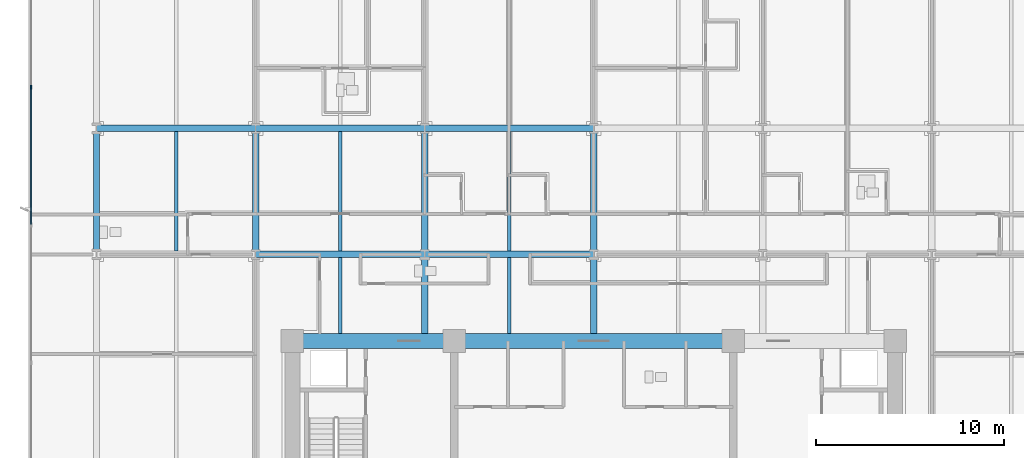
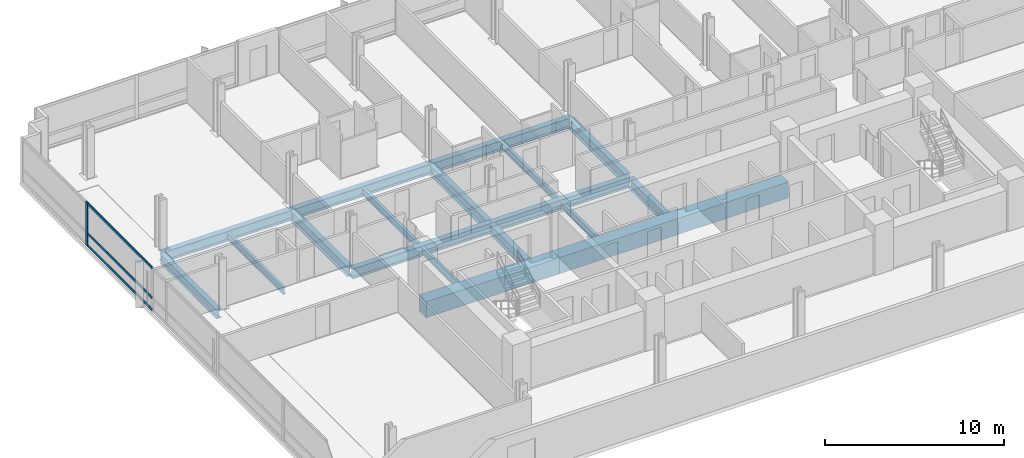
# One storey, part 3 of 15: 18 beams, 4 members, 1 element without a shape of its own.
"""IFC4 building model written with IfcOpenShell, lengths in metres."""

from ifc_helpers import new_model, si_unit, direction, frame, origin, origin_2d, place, context, subcontext, project, spatial, rectangle, i_section, extrude, material, material_profile, profile_set, type_object, element, aggregate, save


model = new_model("IFC4")

# Units and contexts
model_context = context("Model", 3, precision=1e-05, world=origin(), true_north=direction((0.0, 1.0)))
body_context = subcontext(model_context, "Body", "Model", "MODEL_VIEW")
ifc_project = project(units=[si_unit("LENGTHUNIT", "METRE"), si_unit("AREAUNIT", "SQUARE_METRE"), si_unit("VOLUMEUNIT", "CUBIC_METRE"), si_unit("PLANEANGLEUNIT", "RADIAN"), si_unit("MASSUNIT", "GRAM", prefix="KILO")], contexts=[model_context])

# Site, building, storey
site_placement = place(None, origin())
site = spatial("IfcSite", under=ifc_project, at=site_placement, CompositionType="ELEMENT")
building_placement = place(site_placement, origin())
building = spatial("IfcBuilding", under=site, at=building_placement, Name="Solmavex Isthmus Hotel", CompositionType="ELEMENT")
storey_placement = place(building_placement, frame((0.0, 0.0, 71.25)))
storey = spatial("IfcBuildingStorey", under=building, at=storey_placement, Name="L19", CompositionType="ELEMENT", Elevation=71.25)

# Beams
ifc_material_1 = material(Name="Steel ASTM A992 Grade 50", Category="steel")
ifc_material_profile_1 = material_profile(ifc_material_1, i_section(OverallWidth=0.354736328125, OverallDepth=0.695556640625, WebThickness=0.015380859375, FlangeThickness=0.02490234375, FilletRadius=0.017822265625, at=origin_2d()), Name="W27X146")
ifc_profile_set_1 = profile_set([ifc_material_profile_1], Name="Steel ASTM A992 Grade 50")
beam_type_1 = type_object("IfcBeamType", Name="BM-BG-W27X146", PredefinedType="BEAM", material=ifc_profile_set_1)
beam_1_placement = place(storey_placement, frame((-17.951904296875, 2.10009765625, -0.607666015625), z_axis=(1.0, 0.0, 0.0), x_axis=(0.0, 1.0, 0.0)))
element("IfcBeam", 1, at=beam_1_placement, inside=storey, type_object=beam_type_1, Name="Floor Girder L19-UG08", PredefinedType="BEAM", context=body_context, shape_type="SweptSolid", body=[
    extrude(i_section(OverallWidth=0.354736328125, OverallDepth=0.695556640625, WebThickness=0.015380859375, FlangeThickness=0.02490234375, FilletRadius=0.017822265625, at=origin_2d()), origin(), (0.0, 0.0, 1.0), 8.975830078125),
])
beam_2_placement = place(storey_placement, frame((-8.97607421875, 2.10009765625, -0.607666015625), z_axis=(1.0, 0.0, 0.0), x_axis=(0.0, 1.0, 0.0)))
element("IfcBeam", 2, at=beam_2_placement, inside=storey, type_object=beam_type_1, Name="Floor Girder L19-UG09", PredefinedType="BEAM", context=body_context, shape_type="SweptSolid", body=[
    extrude(i_section(OverallWidth=0.354736328125, OverallDepth=0.695556640625, WebThickness=0.015380859375, FlangeThickness=0.02490234375, FilletRadius=0.017822265625, at=origin_2d()), origin(), (0.0, 0.0, 1.0), 8.97607421875),
])
beam_3_placement = place(storey_placement, frame((-26.39990234375, 8.7880859375, -0.607666015625), z_axis=(1.0, 0.0, 0.0), x_axis=(0.0, 1.0, 0.0)))
element("IfcBeam", 3, at=beam_3_placement, inside=storey, type_object=beam_type_1, Name="Floor Girder L19-UG13", PredefinedType="BEAM", context=body_context, shape_type="SweptSolid", body=[
    extrude(i_section(OverallWidth=0.354736328125, OverallDepth=0.695556640625, WebThickness=0.015380859375, FlangeThickness=0.02490234375, FilletRadius=0.017822265625, at=origin_2d()), origin(), (0.0, 0.0, 1.0), 8.447998046875),
])
beam_4_placement = place(storey_placement, frame((-17.951904296875, 8.7880859375, -0.607666015625), z_axis=(1.0, 0.0, 0.0), x_axis=(0.0, 1.0, 0.0)))
element("IfcBeam", 4, at=beam_4_placement, inside=storey, type_object=beam_type_1, Name="Floor Girder L19-UG14", PredefinedType="BEAM", context=body_context, shape_type="SweptSolid", body=[
    extrude(i_section(OverallWidth=0.354736328125, OverallDepth=0.695556640625, WebThickness=0.015380859375, FlangeThickness=0.02490234375, FilletRadius=0.017822265625, at=origin_2d()), origin(), (0.0, 0.0, 1.0), 8.975830078125),
])
beam_5_placement = place(storey_placement, frame((-8.97607421875, 8.7880859375, -0.607666015625), z_axis=(1.0, 0.0, 0.0), x_axis=(0.0, 1.0, 0.0)))
element("IfcBeam", 5, at=beam_5_placement, inside=storey, type_object=beam_type_1, Name="Floor Girder L19-UG15", PredefinedType="BEAM", context=body_context, shape_type="SweptSolid", body=[
    extrude(i_section(OverallWidth=0.354736328125, OverallDepth=0.695556640625, WebThickness=0.015380859375, FlangeThickness=0.02490234375, FilletRadius=0.017822265625, at=origin_2d()), origin(), (0.0, 0.0, 1.0), 8.97607421875),
])
beam_6_placement = place(storey_placement, frame((-17.951904296875, 2.27734375, -0.607666015625), z_axis=(0.0, 1.0, 0.0), x_axis=(-1.0, 0.0, 0.0)))
element("IfcBeam", 6, at=beam_6_placement, inside=storey, type_object=beam_type_1, Name="Floor Beam L19-VG29", PredefinedType="BEAM", context=body_context, shape_type="SweptSolid", body=[
    extrude(i_section(OverallWidth=0.354736328125, OverallDepth=0.695556640625, WebThickness=0.015380859375, FlangeThickness=0.02490234375, FilletRadius=0.017822265625, at=origin_2d()), origin(), (0.0, 0.0, 1.0), 6.333251953125),
])
beam_7_placement = place(storey_placement, frame((-8.97607421875, -2.10009765625, -0.607666015625), z_axis=(0.0, 1.0, 0.0), x_axis=(-1.0, 0.0, 0.0)))
element("IfcBeam", 7, at=beam_7_placement, inside=storey, type_object=beam_type_1, Name="Floor Beam L19-VG32", PredefinedType="BEAM", context=body_context, shape_type="SweptSolid", body=[
    extrude(i_section(OverallWidth=0.354736328125, OverallDepth=0.695556640625, WebThickness=0.015380859375, FlangeThickness=0.02490234375, FilletRadius=0.017822265625, at=origin_2d()), origin(), (0.0, 0.0, 1.0), 4.022705078125),
])
beam_8_placement = place(storey_placement, frame((-8.97607421875, 2.27734375, -0.607666015625), z_axis=(0.0, 1.0, 0.0), x_axis=(-1.0, 0.0, 0.0)))
element("IfcBeam", 8, at=beam_8_placement, inside=storey, type_object=beam_type_1, Name="Floor Beam L19-VG33", PredefinedType="BEAM", context=body_context, shape_type="SweptSolid", body=[
    extrude(i_section(OverallWidth=0.354736328125, OverallDepth=0.695556640625, WebThickness=0.015380859375, FlangeThickness=0.02490234375, FilletRadius=0.017822265625, at=origin_2d()), origin(), (0.0, 0.0, 1.0), 6.333251953125),
])
beam_9_placement = place(storey_placement, frame((0.0, -2.10009765625, -0.607666015625), z_axis=(0.0, 1.0, 0.0), x_axis=(-1.0, 0.0, 0.0)))
element("IfcBeam", 9, at=beam_9_placement, inside=storey, type_object=beam_type_1, Name="Floor Beam L19-VG36", PredefinedType="BEAM", context=body_context, shape_type="SweptSolid", body=[
    extrude(i_section(OverallWidth=0.354736328125, OverallDepth=0.695556640625, WebThickness=0.015380859375, FlangeThickness=0.02490234375, FilletRadius=0.017822265625, at=origin_2d()), origin(), (0.0, 0.0, 1.0), 4.022705078125),
])
beam_10_placement = place(storey_placement, frame((0.0, 2.27734375, -0.607666015625), z_axis=(0.0, 1.0, 0.0), x_axis=(-1.0, 0.0, 0.0)))
element("IfcBeam", 10, at=beam_10_placement, inside=storey, type_object=beam_type_1, Name="Floor Beam L19-VG37", PredefinedType="BEAM", context=body_context, shape_type="SweptSolid", body=[
    extrude(i_section(OverallWidth=0.354736328125, OverallDepth=0.695556640625, WebThickness=0.015380859375, FlangeThickness=0.02490234375, FilletRadius=0.017822265625, at=origin_2d()), origin(), (0.0, 0.0, 1.0), 6.333251953125),
])
ifc_material_profile_2 = material_profile(ifc_material_1, i_section(OverallWidth=0.1904296875, OverallDepth=0.456787109375, WebThickness=0.009033203125, FlangeThickness=0.014404296875, FilletRadius=0.0126953125, at=origin_2d()), Name="W18X50")
ifc_profile_set_2 = profile_set([ifc_material_profile_2], Name="Steel ASTM A992 Grade 50")
beam_type_2 = type_object("IfcBeamType", Name="BM-BJ-W18X50", PredefinedType="JOIST", material=ifc_profile_set_2)
beam_11_placement = place(storey_placement, frame((-22.176025390625, 2.27734375, -0.488525390625), z_axis=(0.0, 1.0, 0.0), x_axis=(-1.0, 0.0, 0.0)))
element("IfcBeam", 11, at=beam_11_placement, inside=storey, type_object=beam_type_2, Name="Secondary Floor Joist L19-J02", PredefinedType="JOIST", context=body_context, shape_type="SweptSolid", body=[
    extrude(i_section(OverallWidth=0.1904296875, OverallDepth=0.456787109375, WebThickness=0.009033203125, FlangeThickness=0.014404296875, FilletRadius=0.0126953125, at=origin_2d()), origin(), (0.0, 0.0, 1.0), 6.333251953125),
])
beam_12_placement = place(storey_placement, frame((-13.464111328125, -2.10009765625, -0.488525390625), z_axis=(0.0, 1.0, 0.0), x_axis=(-1.0, 0.0, 0.0)))
element("IfcBeam", 12, at=beam_12_placement, inside=storey, type_object=beam_type_2, Name="Secondary Floor Joist L19-J05", PredefinedType="JOIST", context=body_context, shape_type="SweptSolid", body=[
    extrude(i_section(OverallWidth=0.1904296875, OverallDepth=0.456787109375, WebThickness=0.009033203125, FlangeThickness=0.014404296875, FilletRadius=0.0126953125, at=origin_2d()), origin(), (0.0, 0.0, 1.0), 4.022705078125),
])
beam_13_placement = place(storey_placement, frame((-13.464111328125, 2.27734375, -0.488525390625), z_axis=(0.0, 1.0, 0.0), x_axis=(-1.0, 0.0, 0.0)))
element("IfcBeam", 13, at=beam_13_placement, inside=storey, type_object=beam_type_2, Name="Secondary Floor Joist L19-J06", PredefinedType="JOIST", context=body_context, shape_type="SweptSolid", body=[
    extrude(i_section(OverallWidth=0.1904296875, OverallDepth=0.456787109375, WebThickness=0.009033203125, FlangeThickness=0.014404296875, FilletRadius=0.0126953125, at=origin_2d()), origin(), (0.0, 0.0, 1.0), 6.333251953125),
])
beam_14_placement = place(storey_placement, frame((-4.488037109375, -2.10009765625, -0.488525390625), z_axis=(0.0, 1.0, 0.0), x_axis=(-1.0, 0.0, 0.0)))
element("IfcBeam", 14, at=beam_14_placement, inside=storey, type_object=beam_type_2, Name="Secondary Floor Joist L19-J09", PredefinedType="JOIST", context=body_context, shape_type="SweptSolid", body=[
    extrude(i_section(OverallWidth=0.1904296875, OverallDepth=0.456787109375, WebThickness=0.009033203125, FlangeThickness=0.014404296875, FilletRadius=0.0126953125, at=origin_2d()), origin(), (0.0, 0.0, 1.0), 4.022705078125),
])
beam_15_placement = place(storey_placement, frame((-4.488037109375, 2.27734375, -0.488525390625), z_axis=(0.0, 1.0, 0.0), x_axis=(-1.0, 0.0, 0.0)))
element("IfcBeam", 15, at=beam_15_placement, inside=storey, type_object=beam_type_2, Name="Secondary Floor Joist L19-J10", PredefinedType="JOIST", context=body_context, shape_type="SweptSolid", body=[
    extrude(i_section(OverallWidth=0.1904296875, OverallDepth=0.456787109375, WebThickness=0.009033203125, FlangeThickness=0.014404296875, FilletRadius=0.0126953125, at=origin_2d()), origin(), (0.0, 0.0, 1.0), 6.333251953125),
])
ifc_material_2 = material(Name="Concrete C70/85", Category="concrete")
ifc_material_profile_3 = material_profile(ifc_material_2, rectangle(XDim=0.800048828125, YDim=1.10009765625, at=origin_2d()), Name="RC800X1100")
ifc_profile_set_3 = profile_set([ifc_material_profile_3], Name="Concrete C70/85")
beam_type_3 = type_object("IfcBeamType", Name="BM-CB-800X1100", PredefinedType="BEAM", material=ifc_profile_set_3)
beam_16_placement = place(storey_placement, frame((-16.0, -2.5, -0.81005859375), z_axis=(1.0, 0.0, 0.0), x_axis=(0.0, 1.0, 0.0)))
element("IfcBeam", 16, at=beam_16_placement, inside=storey, type_object=beam_type_3, Name="Core Coupling Beam L19-CB4", PredefinedType="BEAM", context=body_context, shape_type="SweptSolid", body=[
    extrude(rectangle(XDim=0.800048828125, YDim=1.10009765625, at=origin_2d()), origin(), (0.0, 0.0, 1.0), 8.60009765625),
])
beam_17_placement = place(storey_placement, frame((-7.39990234375, -2.5, -0.81005859375), z_axis=(1.0, 0.0, 0.0), x_axis=(0.0, 1.0, 0.0)))
element("IfcBeam", 17, at=beam_17_placement, inside=storey, type_object=beam_type_3, Name="Core Coupling Beam L19-CB5", PredefinedType="BEAM", context=body_context, shape_type="SweptSolid", body=[
    extrude(rectangle(XDim=0.800048828125, YDim=1.10009765625, at=origin_2d()), origin(), (0.0, 0.0, 1.0), 14.7998046875),
])
ifc_material_profile_4 = material_profile(ifc_material_1, i_section(OverallWidth=0.326416015625, OverallDepth=0.621826171875, WebThickness=0.015380859375, FlangeThickness=0.0244140625, FilletRadius=0.01513671875, at=origin_2d()), Name="W24X131")
ifc_profile_set_4 = profile_set([ifc_material_profile_4], Name="Steel ASTM A992 Grade 50")
beam_type_4 = type_object("IfcBeamType", Name="BM-SP-W24X131", PredefinedType="SPANDREL", material=ifc_profile_set_4)
beam_18_placement = place(storey_placement, frame((-26.39990234375, 2.27734375, -0.57080078125), z_axis=(0.0, 1.0, 0.0), x_axis=(-1.0, 0.0, 0.0)))
element("IfcBeam", 18, at=beam_18_placement, inside=storey, type_object=beam_type_4, Name="Floor Beam L19-VG26", PredefinedType="SPANDREL", context=body_context, shape_type="SweptSolid", body=[
    extrude(i_section(OverallWidth=0.326416015625, OverallDepth=0.621826171875, WebThickness=0.015380859375, FlangeThickness=0.0244140625, FilletRadius=0.01513671875, at=origin_2d()), origin(), (0.0, 0.0, 1.0), 6.333251953125),
])

# Curtain wall, members
ifc_material_3 = material(Name="Aluminium alloy 6063-T6", Category="aluminium")
curtain_wall_type = type_object("IfcCurtainWallType", Name="CW-SYS-02", PredefinedType="NOTDEFINED", material=ifc_material_3)
curtain_wall_placement = place(storey_placement, origin())
curtain_wall = element("IfcCurtainWall", 19, at=curtain_wall_placement, inside=storey, type_object=curtain_wall_type, Name="Stick Curtain Wall CWL-L19-W1", PredefinedType="NOTDEFINED")
ifc_material_profile_5 = material_profile(ifc_material_3, rectangle(XDim=0.074951171875, YDim=0.219970703125, at=origin_2d()), Name="CWM-75X220")
ifc_profile_set_5 = profile_set([ifc_material_profile_5], Name="Aluminium alloy 6063-T6")
member_type_1 = type_object("IfcMemberType", Name="CW-SYS-02-MUL", PredefinedType="MULLION", material=ifc_profile_set_5)
member_1_placement = place(storey_placement, frame((-29.8798828125, 10.97998046875, 0.0), z_axis=(0.0, 0.0, 1.0), x_axis=(-1.0, 0.0, 0.0)))
member_1 = element("IfcMember", 20, at=member_1_placement, type_object=member_type_1, Name="CW-02 mullion 5", PredefinedType="MULLION", context=body_context, shape_type="SweptSolid", body=[
    extrude(rectangle(XDim=0.074951171875, YDim=0.219970703125, at=origin_2d()), origin(), (0.0, 0.0, 1.0), 3.0),
])
ifc_material_profile_6 = material_profile(ifc_material_3, rectangle(XDim=0.074951171875, YDim=0.159912109375, at=origin_2d()), Name="CWT-75X160")
ifc_profile_set_6 = profile_set([ifc_material_profile_6], Name="Aluminium alloy 6063-T6")
member_type_2 = type_object("IfcMemberType", Name="CW-SYS-02-TRN", PredefinedType="USERDEFINED", material=ifc_profile_set_6)
member_2_placement = place(storey_placement, frame((-29.8798828125, 3.697509765625, 0.080078125), z_axis=(0.0, 1.0, 0.0), x_axis=(-1.0, 0.0, 0.0)))
member_2 = element("IfcMember", 21, at=member_2_placement, type_object=member_type_2, Name="CW-02 transom 4.1", ObjectType="TRANSOM", PredefinedType="USERDEFINED", context=body_context, shape_type="SweptSolid", body=[
    extrude(rectangle(XDim=0.074951171875, YDim=0.159912109375, at=origin_2d()), origin(), (0.0, 0.0, 1.0), 7.244873046875),
])
member_3_placement = place(storey_placement, frame((-29.8798828125, 3.697509765625, 0.89990234375), z_axis=(0.0, 1.0, 0.0), x_axis=(-1.0, 0.0, 0.0)))
member_3 = element("IfcMember", 22, at=member_3_placement, type_object=member_type_2, Name="CW-02 transom 4.2", ObjectType="TRANSOM", PredefinedType="USERDEFINED", context=body_context, shape_type="SweptSolid", body=[
    extrude(rectangle(XDim=0.074951171875, YDim=0.159912109375, at=origin_2d()), origin(), (0.0, 0.0, 1.0), 7.244873046875),
])
member_4_placement = place(storey_placement, frame((-29.8798828125, 3.697509765625, 2.919921875), z_axis=(0.0, 1.0, 0.0), x_axis=(-1.0, 0.0, 0.0)))
member_4 = element("IfcMember", 23, at=member_4_placement, type_object=member_type_2, Name="CW-02 transom 4.3", ObjectType="TRANSOM", PredefinedType="USERDEFINED", context=body_context, shape_type="SweptSolid", body=[
    extrude(rectangle(XDim=0.074951171875, YDim=0.159912109375, at=origin_2d()), origin(), (0.0, 0.0, 1.0), 7.244873046875),
])
aggregate(curtain_wall, [member_1, member_2, member_3, member_4])

save(model, "model.ifc")
